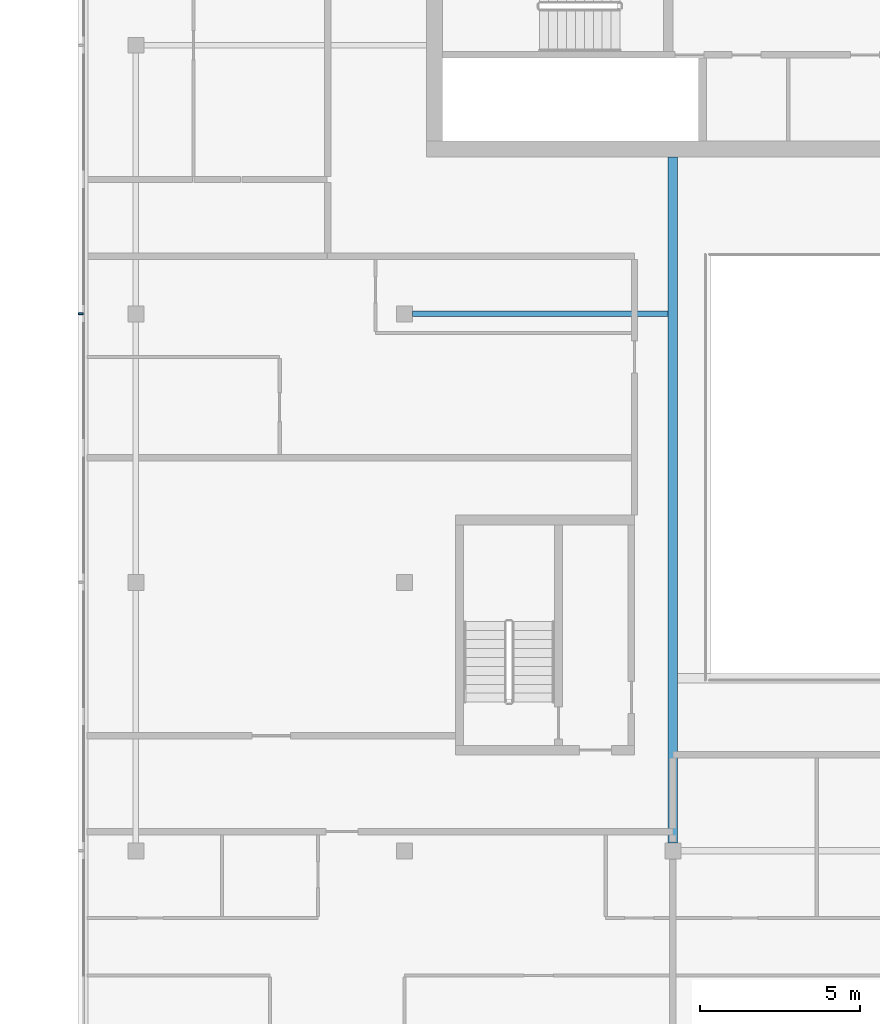
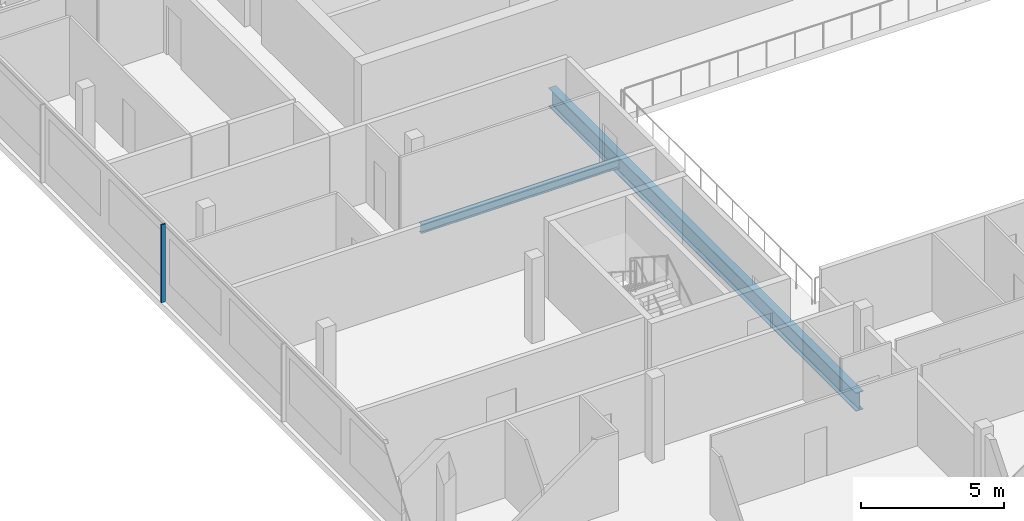
# One storey, part 6 of 24: 2 beams, 1 member, 1 element without a shape of its own.
"""IFC4 building model written with IfcOpenShell, lengths in metres."""

from ifc_helpers import new_model, si_unit, direction, frame, origin, origin_2d, place, context, subcontext, project, spatial, rectangle, i_section, extrude, material, material_profile, profile_set, type_object, element, aggregate, save


model = new_model("IFC4")

# Units and contexts
model_context = context("Model", 3, precision=1e-05, world=origin(), true_north=direction((0.0, 1.0)))
body_context = subcontext(model_context, "Body", "Model", "MODEL_VIEW")
ifc_project = project(units=[si_unit("LENGTHUNIT", "METRE"), si_unit("AREAUNIT", "SQUARE_METRE"), si_unit("VOLUMEUNIT", "CUBIC_METRE"), si_unit("PLANEANGLEUNIT", "RADIAN"), si_unit("MASSUNIT", "GRAM", prefix="KILO")], contexts=[model_context])

# Site, building, storey
site_placement = place(None, origin())
site = spatial("IfcSite", under=ifc_project, at=site_placement, CompositionType="ELEMENT")
building_placement = place(site_placement, origin())
building = spatial("IfcBuilding", under=site, at=building_placement, Name="Saffron Gate Tower", CompositionType="ELEMENT")
storey_placement = place(building_placement, frame((0.0, 0.0, 281.550048828125)))
storey = spatial("IfcBuildingStorey", under=building, at=storey_placement, Name="L68", CompositionType="ELEMENT", Elevation=281.550048828125)

# Beams
ifc_material_1 = material(Name="Structural steel S355", Category="steel")
ifc_material_profile_1 = material_profile(ifc_material_1, i_section(OverallWidth=0.300048828125, OverallDepth=0.7900390625, WebThickness=0.014892578125, FlangeThickness=0.028076171875, FilletRadius=0.030029296875, at=origin_2d()))
ifc_profile_set_1 = profile_set([ifc_material_profile_1], Name="Structural steel S355")
beam_type_1 = type_object("IfcBeamType", Name="B18 HEA 800", PredefinedType="BEAM", material=ifc_profile_set_1)
beam_1_placement = place(storey_placement, frame((75.0, 40.449951171875, -0.675048828125), z_axis=(0.0, 1.0, 0.0), x_axis=(-1.0, 0.0, 0.0)))
element("IfcBeam", 1, at=beam_1_placement, inside=storey, type_object=beam_type_1, Name="B18 ATRIUM GIRDER", PredefinedType="BEAM", context=body_context, shape_type="SweptSolid", body=[
    extrude(i_section(OverallWidth=0.300048828125, OverallDepth=0.7900390625, WebThickness=0.014892578125, FlangeThickness=0.028076171875, FilletRadius=0.030029296875, at=origin_2d()), origin(), (0.0, 0.0, 1.0), 21.449951171875),
])
ifc_material_profile_2 = material_profile(ifc_material_1, i_section(OverallWidth=0.179931640625, OverallDepth=0.39990234375, WebThickness=0.008544921875, FlangeThickness=0.013427734375, FilletRadius=0.02099609375, at=origin_2d()))
ifc_profile_set_2 = profile_set([ifc_material_profile_2], Name="Structural steel S355")
beam_type_2 = type_object("IfcBeamType", Name="B4 IPE 400", PredefinedType="BEAM", material=ifc_profile_set_2)
beam_2_placement = place(storey_placement, frame((66.85009765625, 57.0, -0.47998046875), z_axis=(1.0, 0.0, 0.0), x_axis=(0.0, 1.0, 0.0)))
element("IfcBeam", 2, at=beam_2_placement, inside=storey, type_object=beam_type_2, Name="B4 CORE TIE BEAM", PredefinedType="BEAM", context=body_context, shape_type="SweptSolid", body=[
    extrude(i_section(OverallWidth=0.179931640625, OverallDepth=0.39990234375, WebThickness=0.008544921875, FlangeThickness=0.013427734375, FilletRadius=0.02099609375, at=origin_2d()), origin(), (0.0, 0.0, 1.0), 8.0),
])

# Curtain wall, member
ifc_material_2 = material(Name="Aluminium, bronze anodised", Category="aluminium")
curtain_wall_type = type_object("IfcCurtainWallType", Name="CWS2 curtain wall side facades", PredefinedType="NOTDEFINED", material=ifc_material_2)
curtain_wall_placement = place(storey_placement, origin())
curtain_wall = element("IfcCurtainWall", 3, at=curtain_wall_placement, inside=storey, type_object=curtain_wall_type, Name="CWS2 run 10", PredefinedType="NOTDEFINED")
ifc_material_profile_3 = material_profile(ifc_material_2, rectangle(XDim=0.159912109375, YDim=0.06005859375, at=origin_2d()))
ifc_profile_set_3 = profile_set([ifc_material_profile_3], Name="Aluminium, bronze anodised")
member_type = type_object("IfcMemberType", Name="CWS2 mullion 60x160", PredefinedType="MULLION", material=ifc_profile_set_3)
member_placement = place(storey_placement, frame((56.47998046875, 57.0, 0.0), z_axis=(0.0, 0.0, 1.0), x_axis=(1.0, 0.0, 0.0)))
member = element("IfcMember", 4, at=member_placement, type_object=member_type, Name="CWS2 mullion 3", PredefinedType="MULLION", context=body_context, shape_type="SweptSolid", body=[
    extrude(rectangle(XDim=0.159912109375, YDim=0.06005859375, at=origin_2d()), origin(), (0.0, 0.0, 1.0), 3.320068359375),
])
aggregate(curtain_wall, [member])

save(model, "model.ifc")
